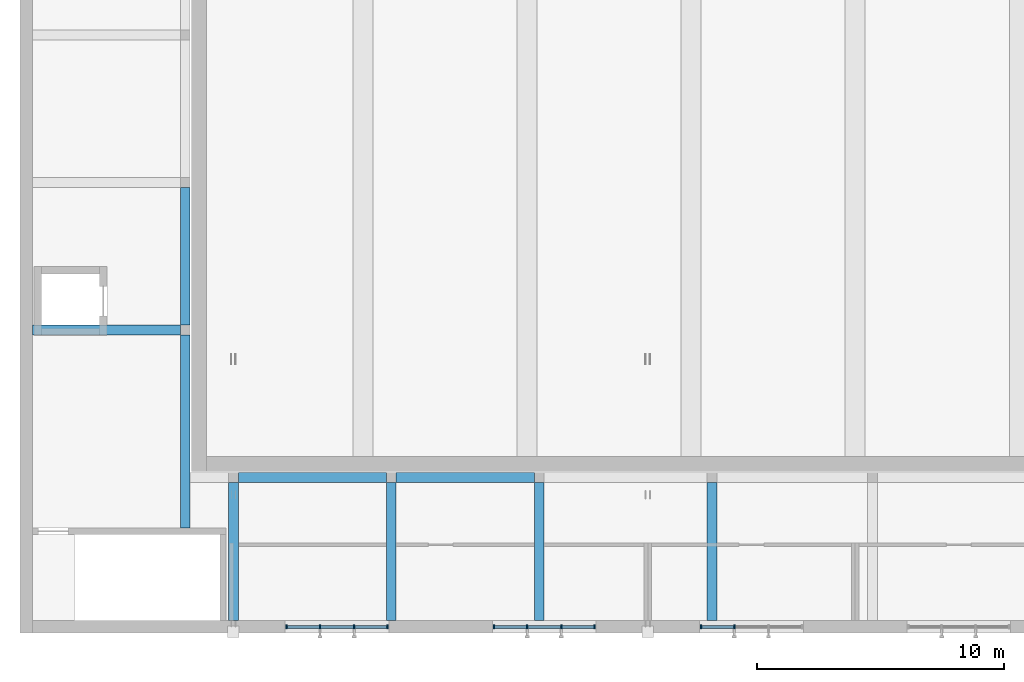
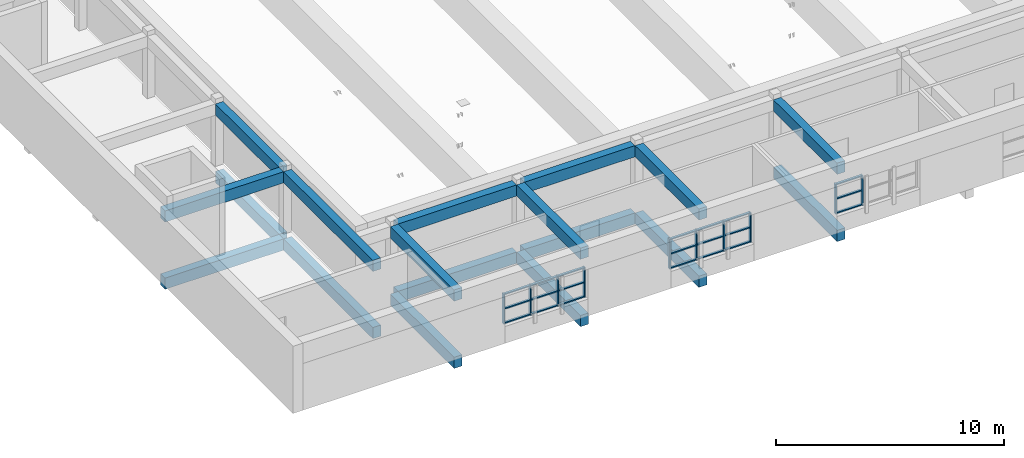
# One storey, part 2 of 28: 31 members, 18 beams, 3 elements without a shape of their own.
"""IFC4 building model written with IfcOpenShell, lengths in metres."""

import ifcopenshell
import ifcopenshell.guid

model = None  # the IFC model being written
_history = None  # IfcOwnerHistory: only IFC2X3 demands one
_inside = {}  # id of a spatial element -> (the spatial element, [elements in it])
_under = {}  # id of a project, library or spatial element -> (it, [spatial elements below it])
_declared = {}  # id of a project -> (the project, [libraries it declares])
_typed = {}  # id of a type object -> (the type object, [elements of that type])
_made_of = {}  # id of a material, layer set ... -> (it, [elements and type objects made of it])


def new_model(schema):
    """Start an empty IFC model of exactly this schema.

    Asked for "IFC4X3", IfcOpenShell would pick the latest addendum, in which some entities
    have other attributes; the version numbers below select the first issue.
    IFC2X3 requires an IfcOwnerHistory on every rooted entity: one is made here for all.
    """
    global model, _history
    if schema == "IFC4X3":
        model = ifcopenshell.file(schema_version=(4, 3, 0, 0))
    else:
        model = ifcopenshell.file(schema=schema)
    _inside.clear()
    _under.clear()
    _declared.clear()
    _typed.clear()
    _made_of.clear()
    _history = None
    if model.schema == "IFC2X3":
        org = make("IfcOrganization", Name="unknown")
        user = make(
            "IfcPersonAndOrganization",
            ThePerson=make("IfcPerson", FamilyName="unknown"),
            TheOrganization=org,
        )
        app = make(
            "IfcApplication",
            ApplicationDeveloper=org,
            Version="unknown",
            ApplicationFullName="unknown",
            ApplicationIdentifier="unknown",
        )
        _history = make(
            "IfcOwnerHistory",
            OwningUser=user,
            OwningApplication=app,
            ChangeAction="ADDED",
            CreationDate=0,
        )
    return model


def make(cls, **values):
    """One entity of the class cls with the attributes given. An attribute that is None is left unset."""
    return model.create_entity(
        cls, **{name: value for name, value in values.items() if value is not None}
    )


def rooted(cls, **values):
    """An entity with a GlobalId (a new one), such as an element, a storey or a relation."""
    return make(cls, GlobalId=ifcopenshell.guid.new(), OwnerHistory=_history, **values)


def si_unit(unit_type, name, prefix=None):
    """IfcSIUnit, for example si_unit("LENGTHUNIT", "METRE", prefix="MILLI")."""
    return make("IfcSIUnit", UnitType=unit_type, Prefix=prefix, Name=name)


def assignment(units):
    """IfcUnitAssignment: the units of a project."""
    return None if units is None else make("IfcUnitAssignment", Units=units)


def point(xyz):
    """IfcCartesianPoint."""
    return None if xyz is None else make("IfcCartesianPoint", Coordinates=xyz)


def direction(xyz):
    """IfcDirection."""
    return None if xyz is None else make("IfcDirection", DirectionRatios=xyz)


def frame(location, z_axis=None, x_axis=None):
    """IfcAxis2Placement3D, a coordinate frame: its origin and axes. An axis left out is left unset."""
    return make(
        "IfcAxis2Placement3D",
        Location=point(location),
        Axis=direction(z_axis),
        RefDirection=direction(x_axis),
    )


def frame_2d(location, x_axis=None):
    """IfcAxis2Placement2D, a coordinate frame in the plane: its origin and x axis."""
    return make(
        "IfcAxis2Placement2D", Location=point(location), RefDirection=direction(x_axis)
    )


def origin():
    """The frame at (0, 0, 0) with its axes left unset."""
    return frame((0.0, 0.0, 0.0))


def origin_2d():
    """The frame at (0, 0) in the plane with its x axis left unset."""
    return frame_2d((0.0, 0.0))


def place(relative_to, where):
    """IfcLocalPlacement: puts the frame where relative to a parent placement (None: the world)."""
    return make(
        "IfcLocalPlacement", PlacementRelTo=relative_to, RelativePlacement=where
    )


def context(
    kind, dimensions, precision=None, world=None, true_north=None, identifier=None
):
    """IfcGeometricRepresentationContext, for example the 3D "Model" context."""
    return make(
        "IfcGeometricRepresentationContext",
        ContextIdentifier=identifier,
        ContextType=kind,
        CoordinateSpaceDimension=dimensions,
        Precision=precision,
        WorldCoordinateSystem=world,
        TrueNorth=true_north,
    )


def subcontext(parent, identifier, kind, view, scale=None):
    """IfcGeometricRepresentationSubContext, for example "Body" below "Model"."""
    return make(
        "IfcGeometricRepresentationSubContext",
        ContextIdentifier=identifier,
        ContextType=kind,
        ParentContext=parent,
        TargetScale=scale,
        TargetView=view,
    )


def project(units=None, contexts=None):
    """IfcProject with its units and contexts."""
    return rooted(
        "IfcProject",
        Name="project",
        RepresentationContexts=contexts,
        UnitsInContext=assignment(units),
    )


def spatial(cls, under=None, at=None, **own):
    """A site, building, storey or space (cls), placed at a placement, below another one or the project."""
    s = rooted(cls, ObjectPlacement=at, **own)
    if under is not None:
        _under.setdefault(under.id(), (under, []))[1].append(s)
    return s


def profile(cls, at=None, kind="AREA", **sizes):
    """A parametric profile (cls). Its sizes go by their IFC names, for example OverallWidth=200.0."""
    return make(cls, ProfileType=kind, Position=at, **sizes)


def rectangle(**sizes):
    """IfcRectangleProfileDef."""
    return profile("IfcRectangleProfileDef", **sizes)


def extrude(swept, where, along, depth):
    """IfcExtrudedAreaSolid: the profile swept, set in the frame where, extruded along a direction by depth."""
    return make(
        "IfcExtrudedAreaSolid",
        SweptArea=swept,
        Position=where,
        ExtrudedDirection=direction(along),
        Depth=depth,
    )


def shape(context_of_items, identifier, shape_type, items):
    """IfcShapeRepresentation: the items that make up one representation, for example the "Body"."""
    return make(
        "IfcShapeRepresentation",
        ContextOfItems=context_of_items,
        RepresentationIdentifier=identifier,
        RepresentationType=shape_type,
        Items=items,
    )


def material(Name=None, Category=None):
    """IfcMaterial."""
    return make("IfcMaterial", Name=Name, Category=Category)


def material_profile(
    of_material, cross_section, Name=None, Category=None, Priority=None
):
    """IfcMaterialProfile: a cross section and its material."""
    return make(
        "IfcMaterialProfile",
        Name=Name,
        Material=of_material,
        Profile=cross_section,
        Priority=Priority,
        Category=Category,
    )


def profile_set(profiles, Name=None, composite=None):
    """IfcMaterialProfileSet."""
    return make(
        "IfcMaterialProfileSet",
        Name=Name,
        MaterialProfiles=profiles,
        CompositeProfile=composite,
    )


def made_of(thing, what):
    """Note that an element or type object is made of a material, layer set ...; save() writes the relation."""
    if what is not None:
        _made_of.setdefault(what.id(), (what, []))[1].append(thing)
    return thing


def type_object(cls, material=None, **own):
    """A type object (cls), such as IfcWallType, which elements share."""
    return made_of(rooted(cls, **own), material)


def element(
    cls,
    number,
    at=None,
    inside=None,
    cuts=None,
    type_object=None,
    material=None,
    context=None,
    identifier="Body",
    shape_type=None,
    held_by="IfcProductDefinitionShape",
    body=None,
    shapes=None,
    **own,
):
    """One element of the class cls, such as IfcWall. Its Tag is "e" and its number.

    at: its placement. inside: the storey or other place that contains it. cuts: it is an
    opening in that element (IfcRelVoidsElement). A single representation is given by context,
    identifier, shape_type and body (its items); several are given by shapes. held_by: the class
    of the entity that holds the representations. save() writes the other relations.
    """
    e = rooted(cls, Tag="e%d" % number, ObjectPlacement=at, **own)
    if body is not None:
        shapes = [shape(context, identifier, shape_type, body)]
    if shapes is not None:
        e.Representation = make(held_by, Representations=shapes)
    if inside is not None:
        _inside.setdefault(inside.id(), (inside, []))[1].append(e)
    if cuts is not None:
        rooted(
            "IfcRelVoidsElement", RelatingBuildingElement=cuts, RelatedOpeningElement=e
        )
    if type_object is not None:
        _typed.setdefault(type_object.id(), (type_object, []))[1].append(e)
    return made_of(e, material)


def aggregate(whole, parts):
    """IfcRelAggregates: a whole, such as a stair, and the parts it consists of."""
    return rooted("IfcRelAggregates", RelatingObject=whole, RelatedObjects=parts)


def save(model, path):
    """Write the relations noted so far, then the file.

    IfcRelAggregates (storeys below a building ...), IfcRelContainedInSpatialStructure (elements
    in a storey), IfcRelDefinesByType, IfcRelAssociatesMaterial and IfcRelDeclares: one each for
    every whole, place, type object, material and project.
    """
    for whole, parts in _under.values():
        aggregate(whole, parts)
    for where, things in _inside.values():
        rooted(
            "IfcRelContainedInSpatialStructure",
            RelatedElements=things,
            RelatingStructure=where,
        )
    for kind, things in _typed.values():
        rooted("IfcRelDefinesByType", RelatedObjects=things, RelatingType=kind)
    for what, things in _made_of.values():
        rooted("IfcRelAssociatesMaterial", RelatedObjects=things, RelatingMaterial=what)
    for by, libraries in _declared.values():
        rooted("IfcRelDeclares", RelatingContext=by, RelatedDefinitions=libraries)
    model.write(path)


model = new_model("IFC4")

# Units and contexts
model_context = context("Model", 3, precision=1e-05, world=origin(), true_north=direction((0.0, 1.0)))
body_context = subcontext(model_context, "Body", "Model", "MODEL_VIEW")
ifc_project = project(units=[si_unit("LENGTHUNIT", "METRE"), si_unit("AREAUNIT", "SQUARE_METRE"), si_unit("VOLUMEUNIT", "CUBIC_METRE"), si_unit("PLANEANGLEUNIT", "RADIAN"), si_unit("MASSUNIT", "GRAM", prefix="KILO")], contexts=[model_context])

# Site, building, storey
site_placement = place(None, origin())
site = spatial("IfcSite", under=ifc_project, at=site_placement, CompositionType="ELEMENT")
building_placement = place(site_placement, origin())
building = spatial("IfcBuilding", under=site, at=building_placement, Name="Ljudholm Concert House", CompositionType="ELEMENT")
storey_placement = place(building_placement, frame((0.0, 0.0, 19.199951171875)))
storey = spatial("IfcBuildingStorey", under=building, at=storey_placement, Name="L04", CompositionType="ELEMENT", Elevation=19.199951171875)

# Curtain wall, members
ifc_material_1 = material(Name="Aluminium curtain wall with impact-rated laminated glass", Category="aluminium")
curtain_wall_type = type_object("IfcCurtainWallType", Name="CURTAIN WALL 1400", PredefinedType="NOTDEFINED", material=ifc_material_1)
curtain_wall_1_placement = place(storey_placement, origin())
curtain_wall_1 = element("IfcCurtainWall", 1, at=curtain_wall_1_placement, inside=storey, type_object=curtain_wall_type, Name="Promenade curtain wall", PredefinedType="NOTDEFINED")
ifc_material_2 = material(Name="Aluminium extrusion", Category="aluminium")
ifc_material_profile_1 = material_profile(ifc_material_2, rectangle(XDim=0.159912109375, YDim=0.06005859375, at=origin_2d()), Name="MULLION 60x160")
ifc_profile_set_1 = profile_set([ifc_material_profile_1], Name="Aluminium extrusion")
member_type_1 = type_object("IfcMemberType", Name="MULLION 60x160", PredefinedType="MULLION", material=ifc_profile_set_1)
member_1_placement = place(storey_placement, frame((39.760009765625, 54.39990234375, 0.900146484375), z_axis=(0.0, 0.0, 1.0), x_axis=(0.0, 1.0, 0.0)))
member_1 = element("IfcMember", 2, at=member_1_placement, type_object=member_type_1, Name="Mullion", PredefinedType="MULLION", context=body_context, shape_type="SweptSolid", body=[
    extrude(rectangle(XDim=0.159912109375, YDim=0.06005859375, at=origin_2d()), origin(), (0.0, 0.0, 1.0), 1.599853515625),
])
member_2_placement = place(storey_placement, frame((41.110107421875, 54.39990234375, 0.900146484375), z_axis=(0.0, 0.0, 1.0), x_axis=(0.0, 1.0, 0.0)))
member_2 = element("IfcMember", 3, at=member_2_placement, type_object=member_type_1, Name="Mullion", PredefinedType="MULLION", context=body_context, shape_type="SweptSolid", body=[
    extrude(rectangle(XDim=0.159912109375, YDim=0.06005859375, at=origin_2d()), origin(), (0.0, 0.0, 1.0), 1.599853515625),
])
member_3_placement = place(storey_placement, frame((42.489990234375, 54.39990234375, 0.900146484375), z_axis=(0.0, 0.0, 1.0), x_axis=(0.0, 1.0, 0.0)))
member_3 = element("IfcMember", 4, at=member_3_placement, type_object=member_type_1, Name="Mullion", PredefinedType="MULLION", context=body_context, shape_type="SweptSolid", body=[
    extrude(rectangle(XDim=0.159912109375, YDim=0.06005859375, at=origin_2d()), origin(), (0.0, 0.0, 1.0), 1.599853515625),
])
member_4_placement = place(storey_placement, frame((43.840087890625, 54.39990234375, 0.900146484375), z_axis=(0.0, 0.0, 1.0), x_axis=(0.0, 1.0, 0.0)))
member_4 = element("IfcMember", 5, at=member_4_placement, type_object=member_type_1, Name="Mullion", PredefinedType="MULLION", context=body_context, shape_type="SweptSolid", body=[
    extrude(rectangle(XDim=0.159912109375, YDim=0.06005859375, at=origin_2d()), origin(), (0.0, 0.0, 1.0), 1.599853515625),
])

curtain_wall_2_placement = place(storey_placement, origin())
curtain_wall_2 = element("IfcCurtainWall", 6, at=curtain_wall_2_placement, inside=storey, type_object=curtain_wall_type, Name="Promenade curtain wall", PredefinedType="NOTDEFINED")
member_5_placement = place(storey_placement, frame((48.159912109375, 54.39990234375, 0.900146484375), z_axis=(0.0, 0.0, 1.0), x_axis=(0.0, 1.0, 0.0)))
member_5 = element("IfcMember", 7, at=member_5_placement, type_object=member_type_1, Name="Mullion", PredefinedType="MULLION", context=body_context, shape_type="SweptSolid", body=[
    extrude(rectangle(XDim=0.159912109375, YDim=0.06005859375, at=origin_2d()), origin(), (0.0, 0.0, 1.0), 1.599853515625),
])
member_6_placement = place(storey_placement, frame((49.510009765625, 54.39990234375, 0.900146484375), z_axis=(0.0, 0.0, 1.0), x_axis=(0.0, 1.0, 0.0)))
member_6 = element("IfcMember", 8, at=member_6_placement, type_object=member_type_1, Name="Mullion", PredefinedType="MULLION", context=body_context, shape_type="SweptSolid", body=[
    extrude(rectangle(XDim=0.159912109375, YDim=0.06005859375, at=origin_2d()), origin(), (0.0, 0.0, 1.0), 1.599853515625),
])
member_7_placement = place(storey_placement, frame((50.889892578125, 54.39990234375, 0.900146484375), z_axis=(0.0, 0.0, 1.0), x_axis=(0.0, 1.0, 0.0)))
member_7 = element("IfcMember", 9, at=member_7_placement, type_object=member_type_1, Name="Mullion", PredefinedType="MULLION", context=body_context, shape_type="SweptSolid", body=[
    extrude(rectangle(XDim=0.159912109375, YDim=0.06005859375, at=origin_2d()), origin(), (0.0, 0.0, 1.0), 1.599853515625),
])
member_8_placement = place(storey_placement, frame((52.239990234375, 54.39990234375, 0.900146484375), z_axis=(0.0, 0.0, 1.0), x_axis=(0.0, 1.0, 0.0)))
member_8 = element("IfcMember", 10, at=member_8_placement, type_object=member_type_1, Name="Mullion", PredefinedType="MULLION", context=body_context, shape_type="SweptSolid", body=[
    extrude(rectangle(XDim=0.159912109375, YDim=0.06005859375, at=origin_2d()), origin(), (0.0, 0.0, 1.0), 1.599853515625),
])

curtain_wall_3_placement = place(storey_placement, origin())
curtain_wall_3 = element("IfcCurtainWall", 11, at=curtain_wall_3_placement, inside=storey, type_object=curtain_wall_type, Name="Promenade curtain wall", PredefinedType="NOTDEFINED")
member_9_placement = place(storey_placement, frame((56.56005859375, 54.39990234375, 0.900146484375), z_axis=(0.0, 0.0, 1.0), x_axis=(0.0, 1.0, 0.0)))
member_9 = element("IfcMember", 12, at=member_9_placement, type_object=member_type_1, Name="Mullion", PredefinedType="MULLION", context=body_context, shape_type="SweptSolid", body=[
    extrude(rectangle(XDim=0.159912109375, YDim=0.06005859375, at=origin_2d()), origin(), (0.0, 0.0, 1.0), 1.599853515625),
])
member_10_placement = place(storey_placement, frame((57.909912109375, 54.39990234375, 0.900146484375), z_axis=(0.0, 0.0, 1.0), x_axis=(0.0, 1.0, 0.0)))
member_10 = element("IfcMember", 13, at=member_10_placement, type_object=member_type_1, Name="Mullion", PredefinedType="MULLION", context=body_context, shape_type="SweptSolid", body=[
    extrude(rectangle(XDim=0.159912109375, YDim=0.06005859375, at=origin_2d()), origin(), (0.0, 0.0, 1.0), 1.599853515625),
])

# Beams
ifc_material_3 = material(Name="Concrete 6,500 psi", Category="concrete")
ifc_material_profile_2 = material_profile(ifc_material_3, rectangle(XDim=0.39990234375, YDim=0.60009765625, at=origin_2d()), Name="RC BEAM 400x600")
ifc_profile_set_2 = profile_set([ifc_material_profile_2], Name="Concrete 6,500 psi")
beam_type = type_object("IfcBeamType", Name="RC BEAM 400x600", PredefinedType="BEAM", material=ifc_profile_set_2)
beam_1_placement = place(storey_placement, frame((37.800048828125, 60.449951171875, -0.550048828125), z_axis=(1.0, 0.0, 0.0), x_axis=(0.0, 1.0, 0.0)))
element("IfcBeam", 14, at=beam_1_placement, inside=storey, type_object=beam_type, Name="Ring beam", PredefinedType="BEAM", context=body_context, shape_type="SweptSolid", body=[
    extrude(rectangle(XDim=0.39990234375, YDim=0.60009765625, at=origin_2d()), origin(), (0.0, 0.0, 1.0), 6.0),
])
beam_2_placement = place(storey_placement, frame((44.199951171875, 60.449951171875, -0.550048828125), z_axis=(1.0, 0.0, 0.0), x_axis=(0.0, 1.0, 0.0)))
element("IfcBeam", 15, at=beam_2_placement, inside=storey, type_object=beam_type, Name="Ring beam", PredefinedType="BEAM", context=body_context, shape_type="SweptSolid", body=[
    extrude(rectangle(XDim=0.39990234375, YDim=0.60009765625, at=origin_2d()), origin(), (0.0, 0.0, 1.0), 5.60009765625),
])
beam_3_placement = place(storey_placement, frame((35.64990234375, 66.6298828125, -0.550048828125), z_axis=(0.0, 1.0, 0.0), x_axis=(-1.0, 0.0, 0.0)))
element("IfcBeam", 16, at=beam_3_placement, inside=storey, type_object=beam_type, Name="Ring beam", PredefinedType="BEAM", context=body_context, shape_type="SweptSolid", body=[
    extrude(rectangle(XDim=0.39990234375, YDim=0.60009765625, at=origin_2d()), origin(), (0.0, 0.0, 1.0), 5.580078125),
])
for number, where, z_axis, x_axis, name in (
    (17, (37.60009765625, 60.25, -0.550048828125), (0.0, -1.0, 0.0), (1.0, 0.0, 0.0), "Ring cross beam"),
    (18, (44.0, 60.25, -0.550048828125), (0.0, -1.0, 0.0), (1.0, 0.0, 0.0), "Ring cross beam"),
    (19, (50.0, 60.25, -0.550048828125), (0.0, -1.0, 0.0), (1.0, 0.0, 0.0), "Ring cross beam"),
    (20, (57.0, 60.25, -0.550048828125), (0.0, -1.0, 0.0), (1.0, 0.0, 0.0), "Ring cross beam"),
):
    element("IfcBeam", number, at=place(storey_placement, frame(where, z_axis=z_axis, x_axis=x_axis)), inside=storey, type_object=beam_type, Name=name, PredefinedType="BEAM", context=body_context, shape_type="SweptSolid", body=[
        extrude(rectangle(XDim=0.39990234375, YDim=0.60009765625, at=origin_2d()), origin(), (0.0, 0.0, 1.0), 5.60009765625),
    ])
beam_4_placement = place(storey_placement, frame((35.449951171875, 66.429931640625, -0.550048828125), z_axis=(-1.0, 0.0, 0.0), x_axis=(0.0, -1.0, 0.0)))
element("IfcBeam", 21, at=beam_4_placement, inside=storey, type_object=beam_type, Name="Ring cross beam", PredefinedType="BEAM", context=body_context, shape_type="SweptSolid", body=[
    extrude(rectangle(XDim=0.39990234375, YDim=0.60009765625, at=origin_2d()), origin(), (0.0, 0.0, 1.0), 6.0),
])
beam_5_placement = place(storey_placement, frame((35.64990234375, 58.39990234375, -0.550048828125), z_axis=(0.0, 1.0, 0.0), x_axis=(-1.0, 0.0, 0.0)))
element("IfcBeam", 22, at=beam_5_placement, inside=storey, type_object=beam_type, Name="Ring beam", PredefinedType="BEAM", context=body_context, shape_type="SweptSolid", body=[
    extrude(rectangle(XDim=0.39990234375, YDim=0.60009765625, at=origin_2d()), origin(), (0.0, 0.0, 1.0), 7.830078125),
])
beam_6_placement = place(storey_placement, frame((37.800048828125, 60.449951171875, 3.050048828125), z_axis=(1.0, 0.0, 0.0), x_axis=(0.0, 1.0, 0.0)))
element("IfcBeam", 23, at=beam_6_placement, inside=storey, type_object=beam_type, Name="Ring beam", PredefinedType="BEAM", context=body_context, shape_type="SweptSolid", body=[
    extrude(rectangle(XDim=0.39990234375, YDim=0.60009765625, at=origin_2d()), origin(), (0.0, 0.0, 1.0), 6.0),
])
beam_7_placement = place(storey_placement, frame((44.199951171875, 60.449951171875, 3.050048828125), z_axis=(1.0, 0.0, 0.0), x_axis=(0.0, 1.0, 0.0)))
element("IfcBeam", 24, at=beam_7_placement, inside=storey, type_object=beam_type, Name="Ring beam", PredefinedType="BEAM", context=body_context, shape_type="SweptSolid", body=[
    extrude(rectangle(XDim=0.39990234375, YDim=0.60009765625, at=origin_2d()), origin(), (0.0, 0.0, 1.0), 5.60009765625),
])
beam_8_placement = place(storey_placement, frame((35.64990234375, 66.6298828125, 3.050048828125), z_axis=(0.0, 1.0, 0.0), x_axis=(-1.0, 0.0, 0.0)))
element("IfcBeam", 25, at=beam_8_placement, inside=storey, type_object=beam_type, Name="Ring beam", PredefinedType="BEAM", context=body_context, shape_type="SweptSolid", body=[
    extrude(rectangle(XDim=0.39990234375, YDim=0.60009765625, at=origin_2d()), origin(), (0.0, 0.0, 1.0), 5.580078125),
])
for number, where, z_axis, x_axis, name in (
    (26, (37.60009765625, 60.25, 3.050048828125), (0.0, -1.0, 0.0), (1.0, 0.0, 0.0), "Ring cross beam"),
    (27, (44.0, 60.25, 3.050048828125), (0.0, -1.0, 0.0), (1.0, 0.0, 0.0), "Ring cross beam"),
    (28, (50.0, 60.25, 3.050048828125), (0.0, -1.0, 0.0), (1.0, 0.0, 0.0), "Ring cross beam"),
    (29, (57.0, 60.25, 3.050048828125), (0.0, -1.0, 0.0), (1.0, 0.0, 0.0), "Ring cross beam"),
):
    element("IfcBeam", number, at=place(storey_placement, frame(where, z_axis=z_axis, x_axis=x_axis)), inside=storey, type_object=beam_type, Name=name, PredefinedType="BEAM", context=body_context, shape_type="SweptSolid", body=[
        extrude(rectangle(XDim=0.39990234375, YDim=0.60009765625, at=origin_2d()), origin(), (0.0, 0.0, 1.0), 5.60009765625),
    ])
beam_9_placement = place(storey_placement, frame((35.449951171875, 66.429931640625, 3.050048828125), z_axis=(-1.0, 0.0, 0.0), x_axis=(0.0, -1.0, 0.0)))
element("IfcBeam", 30, at=beam_9_placement, inside=storey, type_object=beam_type, Name="Ring cross beam", PredefinedType="BEAM", context=body_context, shape_type="SweptSolid", body=[
    extrude(rectangle(XDim=0.39990234375, YDim=0.60009765625, at=origin_2d()), origin(), (0.0, 0.0, 1.0), 6.0),
])
beam_10_placement = place(storey_placement, frame((35.64990234375, 58.39990234375, 3.050048828125), z_axis=(0.0, 1.0, 0.0), x_axis=(-1.0, 0.0, 0.0)))
element("IfcBeam", 31, at=beam_10_placement, inside=storey, type_object=beam_type, Name="Ring beam", PredefinedType="BEAM", context=body_context, shape_type="SweptSolid", body=[
    extrude(rectangle(XDim=0.39990234375, YDim=0.60009765625, at=origin_2d()), origin(), (0.0, 0.0, 1.0), 7.830078125),
])

# Member
ifc_material_4 = material(Name="Aluminium extrusion", Category="aluminium")
ifc_material_profile_3 = material_profile(ifc_material_4, rectangle(XDim=0.1201171875, YDim=0.06005859375, at=origin_2d()), Name="TRANSOM 60x120")
ifc_profile_set_3 = profile_set([ifc_material_profile_3], Name="Aluminium extrusion")
member_type_2 = type_object("IfcMemberType", Name="TRANSOM 60x120", PredefinedType="USERDEFINED", material=ifc_profile_set_3)
member_11_placement = place(storey_placement, frame((39.7900390625, 54.39990234375, 0.929931640625), z_axis=(1.0, 0.0, 0.0), x_axis=(0.0, 1.0, 0.0)))
member_11 = element("IfcMember", 32, at=member_11_placement, type_object=member_type_2, Name="Transom", ObjectType="TRANSOM", PredefinedType="USERDEFINED", context=body_context, shape_type="SweptSolid", body=[
    extrude(rectangle(XDim=0.1201171875, YDim=0.06005859375, at=origin_2d()), origin(), (0.0, 0.0, 1.0), 1.2900390625),
])

member_12_placement = place(storey_placement, frame((39.7900390625, 54.39990234375, 1.699951171875), z_axis=(1.0, 0.0, 0.0), x_axis=(0.0, 1.0, 0.0)))
member_12 = element("IfcMember", 33, at=member_12_placement, type_object=member_type_2, Name="Transom", ObjectType="TRANSOM", PredefinedType="USERDEFINED", context=body_context, shape_type="SweptSolid", body=[
    extrude(rectangle(XDim=0.1201171875, YDim=0.06005859375, at=origin_2d()), origin(), (0.0, 0.0, 1.0), 1.2900390625),
])

member_13_placement = place(storey_placement, frame((39.7900390625, 54.39990234375, 2.469970703125), z_axis=(1.0, 0.0, 0.0), x_axis=(0.0, 1.0, 0.0)))
member_13 = element("IfcMember", 34, at=member_13_placement, type_object=member_type_2, Name="Transom", ObjectType="TRANSOM", PredefinedType="USERDEFINED", context=body_context, shape_type="SweptSolid", body=[
    extrude(rectangle(XDim=0.1201171875, YDim=0.06005859375, at=origin_2d()), origin(), (0.0, 0.0, 1.0), 1.2900390625),
])

member_14_placement = place(storey_placement, frame((41.139892578125, 54.39990234375, 0.929931640625), z_axis=(1.0, 0.0, 0.0), x_axis=(0.0, 1.0, 0.0)))
member_14 = element("IfcMember", 35, at=member_14_placement, type_object=member_type_2, Name="Transom", ObjectType="TRANSOM", PredefinedType="USERDEFINED", context=body_context, shape_type="SweptSolid", body=[
    extrude(rectangle(XDim=0.1201171875, YDim=0.06005859375, at=origin_2d()), origin(), (0.0, 0.0, 1.0), 1.320068359375),
])

member_15_placement = place(storey_placement, frame((41.139892578125, 54.39990234375, 1.699951171875), z_axis=(1.0, 0.0, 0.0), x_axis=(0.0, 1.0, 0.0)))
member_15 = element("IfcMember", 36, at=member_15_placement, type_object=member_type_2, Name="Transom", ObjectType="TRANSOM", PredefinedType="USERDEFINED", context=body_context, shape_type="SweptSolid", body=[
    extrude(rectangle(XDim=0.1201171875, YDim=0.06005859375, at=origin_2d()), origin(), (0.0, 0.0, 1.0), 1.320068359375),
])

member_16_placement = place(storey_placement, frame((41.139892578125, 54.39990234375, 2.469970703125), z_axis=(1.0, 0.0, 0.0), x_axis=(0.0, 1.0, 0.0)))
member_16 = element("IfcMember", 37, at=member_16_placement, type_object=member_type_2, Name="Transom", ObjectType="TRANSOM", PredefinedType="USERDEFINED", context=body_context, shape_type="SweptSolid", body=[
    extrude(rectangle(XDim=0.1201171875, YDim=0.06005859375, at=origin_2d()), origin(), (0.0, 0.0, 1.0), 1.320068359375),
])

member_17_placement = place(storey_placement, frame((42.52001953125, 54.39990234375, 0.929931640625), z_axis=(1.0, 0.0, 0.0), x_axis=(0.0, 1.0, 0.0)))
member_17 = element("IfcMember", 38, at=member_17_placement, type_object=member_type_2, Name="Transom", ObjectType="TRANSOM", PredefinedType="USERDEFINED", context=body_context, shape_type="SweptSolid", body=[
    extrude(rectangle(XDim=0.1201171875, YDim=0.06005859375, at=origin_2d()), origin(), (0.0, 0.0, 1.0), 1.2900390625),
])

member_18_placement = place(storey_placement, frame((42.52001953125, 54.39990234375, 1.699951171875), z_axis=(1.0, 0.0, 0.0), x_axis=(0.0, 1.0, 0.0)))
member_18 = element("IfcMember", 39, at=member_18_placement, type_object=member_type_2, Name="Transom", ObjectType="TRANSOM", PredefinedType="USERDEFINED", context=body_context, shape_type="SweptSolid", body=[
    extrude(rectangle(XDim=0.1201171875, YDim=0.06005859375, at=origin_2d()), origin(), (0.0, 0.0, 1.0), 1.2900390625),
])

member_19_placement = place(storey_placement, frame((42.52001953125, 54.39990234375, 2.469970703125), z_axis=(1.0, 0.0, 0.0), x_axis=(0.0, 1.0, 0.0)))
member_19 = element("IfcMember", 40, at=member_19_placement, type_object=member_type_2, Name="Transom", ObjectType="TRANSOM", PredefinedType="USERDEFINED", context=body_context, shape_type="SweptSolid", body=[
    extrude(rectangle(XDim=0.1201171875, YDim=0.06005859375, at=origin_2d()), origin(), (0.0, 0.0, 1.0), 1.2900390625),
])

aggregate(curtain_wall_1, [member_1, member_2, member_3, member_4, member_11, member_12, member_13, member_14, member_15, member_16, member_17, member_18, member_19])

member_20_placement = place(storey_placement, frame((48.18994140625, 54.39990234375, 0.929931640625), z_axis=(1.0, 0.0, 0.0), x_axis=(0.0, 1.0, 0.0)))
member_20 = element("IfcMember", 41, at=member_20_placement, type_object=member_type_2, Name="Transom", ObjectType="TRANSOM", PredefinedType="USERDEFINED", context=body_context, shape_type="SweptSolid", body=[
    extrude(rectangle(XDim=0.1201171875, YDim=0.06005859375, at=origin_2d()), origin(), (0.0, 0.0, 1.0), 1.2900390625),
])

member_21_placement = place(storey_placement, frame((48.18994140625, 54.39990234375, 1.699951171875), z_axis=(1.0, 0.0, 0.0), x_axis=(0.0, 1.0, 0.0)))
member_21 = element("IfcMember", 42, at=member_21_placement, type_object=member_type_2, Name="Transom", ObjectType="TRANSOM", PredefinedType="USERDEFINED", context=body_context, shape_type="SweptSolid", body=[
    extrude(rectangle(XDim=0.1201171875, YDim=0.06005859375, at=origin_2d()), origin(), (0.0, 0.0, 1.0), 1.2900390625),
])

member_22_placement = place(storey_placement, frame((48.18994140625, 54.39990234375, 2.469970703125), z_axis=(1.0, 0.0, 0.0), x_axis=(0.0, 1.0, 0.0)))
member_22 = element("IfcMember", 43, at=member_22_placement, type_object=member_type_2, Name="Transom", ObjectType="TRANSOM", PredefinedType="USERDEFINED", context=body_context, shape_type="SweptSolid", body=[
    extrude(rectangle(XDim=0.1201171875, YDim=0.06005859375, at=origin_2d()), origin(), (0.0, 0.0, 1.0), 1.2900390625),
])

member_23_placement = place(storey_placement, frame((49.5400390625, 54.39990234375, 0.929931640625), z_axis=(1.0, 0.0, 0.0), x_axis=(0.0, 1.0, 0.0)))
member_23 = element("IfcMember", 44, at=member_23_placement, type_object=member_type_2, Name="Transom", ObjectType="TRANSOM", PredefinedType="USERDEFINED", context=body_context, shape_type="SweptSolid", body=[
    extrude(rectangle(XDim=0.1201171875, YDim=0.06005859375, at=origin_2d()), origin(), (0.0, 0.0, 1.0), 1.320068359375),
])

member_24_placement = place(storey_placement, frame((49.5400390625, 54.39990234375, 1.699951171875), z_axis=(1.0, 0.0, 0.0), x_axis=(0.0, 1.0, 0.0)))
member_24 = element("IfcMember", 45, at=member_24_placement, type_object=member_type_2, Name="Transom", ObjectType="TRANSOM", PredefinedType="USERDEFINED", context=body_context, shape_type="SweptSolid", body=[
    extrude(rectangle(XDim=0.1201171875, YDim=0.06005859375, at=origin_2d()), origin(), (0.0, 0.0, 1.0), 1.320068359375),
])

member_25_placement = place(storey_placement, frame((49.5400390625, 54.39990234375, 2.469970703125), z_axis=(1.0, 0.0, 0.0), x_axis=(0.0, 1.0, 0.0)))
member_25 = element("IfcMember", 46, at=member_25_placement, type_object=member_type_2, Name="Transom", ObjectType="TRANSOM", PredefinedType="USERDEFINED", context=body_context, shape_type="SweptSolid", body=[
    extrude(rectangle(XDim=0.1201171875, YDim=0.06005859375, at=origin_2d()), origin(), (0.0, 0.0, 1.0), 1.320068359375),
])

member_26_placement = place(storey_placement, frame((50.919921875, 54.39990234375, 0.929931640625), z_axis=(1.0, 0.0, 0.0), x_axis=(0.0, 1.0, 0.0)))
member_26 = element("IfcMember", 47, at=member_26_placement, type_object=member_type_2, Name="Transom", ObjectType="TRANSOM", PredefinedType="USERDEFINED", context=body_context, shape_type="SweptSolid", body=[
    extrude(rectangle(XDim=0.1201171875, YDim=0.06005859375, at=origin_2d()), origin(), (0.0, 0.0, 1.0), 1.2900390625),
])

member_27_placement = place(storey_placement, frame((50.919921875, 54.39990234375, 1.699951171875), z_axis=(1.0, 0.0, 0.0), x_axis=(0.0, 1.0, 0.0)))
member_27 = element("IfcMember", 48, at=member_27_placement, type_object=member_type_2, Name="Transom", ObjectType="TRANSOM", PredefinedType="USERDEFINED", context=body_context, shape_type="SweptSolid", body=[
    extrude(rectangle(XDim=0.1201171875, YDim=0.06005859375, at=origin_2d()), origin(), (0.0, 0.0, 1.0), 1.2900390625),
])

member_28_placement = place(storey_placement, frame((50.919921875, 54.39990234375, 2.469970703125), z_axis=(1.0, 0.0, 0.0), x_axis=(0.0, 1.0, 0.0)))
member_28 = element("IfcMember", 49, at=member_28_placement, type_object=member_type_2, Name="Transom", ObjectType="TRANSOM", PredefinedType="USERDEFINED", context=body_context, shape_type="SweptSolid", body=[
    extrude(rectangle(XDim=0.1201171875, YDim=0.06005859375, at=origin_2d()), origin(), (0.0, 0.0, 1.0), 1.2900390625),
])

aggregate(curtain_wall_2, [member_5, member_6, member_7, member_8, member_20, member_21, member_22, member_23, member_24, member_25, member_26, member_27, member_28])

member_29_placement = place(storey_placement, frame((56.590087890625, 54.39990234375, 0.929931640625), z_axis=(1.0, 0.0, 0.0), x_axis=(0.0, 1.0, 0.0)))
member_29 = element("IfcMember", 50, at=member_29_placement, type_object=member_type_2, Name="Transom", ObjectType="TRANSOM", PredefinedType="USERDEFINED", context=body_context, shape_type="SweptSolid", body=[
    extrude(rectangle(XDim=0.1201171875, YDim=0.06005859375, at=origin_2d()), origin(), (0.0, 0.0, 1.0), 1.289794921875),
])

member_30_placement = place(storey_placement, frame((56.590087890625, 54.39990234375, 1.699951171875), z_axis=(1.0, 0.0, 0.0), x_axis=(0.0, 1.0, 0.0)))
member_30 = element("IfcMember", 51, at=member_30_placement, type_object=member_type_2, Name="Transom", ObjectType="TRANSOM", PredefinedType="USERDEFINED", context=body_context, shape_type="SweptSolid", body=[
    extrude(rectangle(XDim=0.1201171875, YDim=0.06005859375, at=origin_2d()), origin(), (0.0, 0.0, 1.0), 1.289794921875),
])

member_31_placement = place(storey_placement, frame((56.590087890625, 54.39990234375, 2.469970703125), z_axis=(1.0, 0.0, 0.0), x_axis=(0.0, 1.0, 0.0)))
member_31 = element("IfcMember", 52, at=member_31_placement, type_object=member_type_2, Name="Transom", ObjectType="TRANSOM", PredefinedType="USERDEFINED", context=body_context, shape_type="SweptSolid", body=[
    extrude(rectangle(XDim=0.1201171875, YDim=0.06005859375, at=origin_2d()), origin(), (0.0, 0.0, 1.0), 1.289794921875),
])

aggregate(curtain_wall_3, [member_9, member_10, member_29, member_30, member_31])

save(model, "model.ifc")
